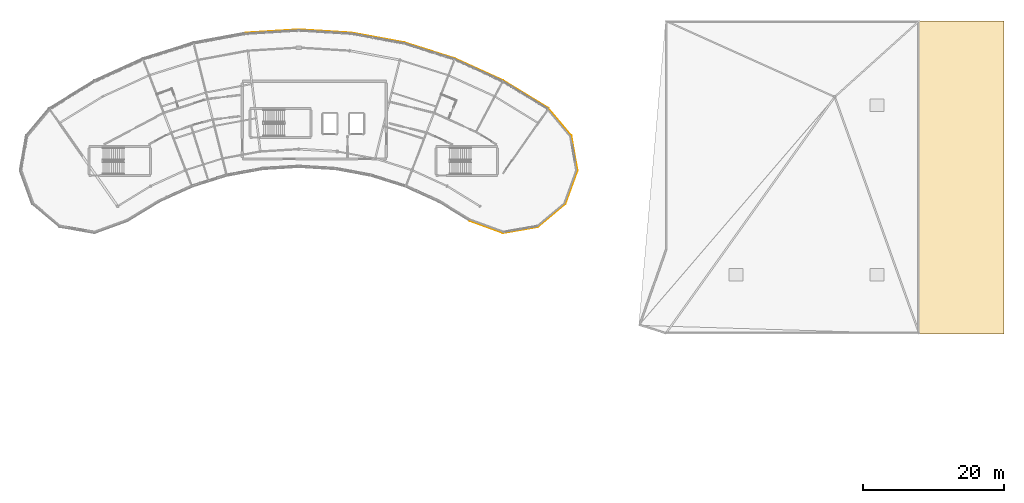
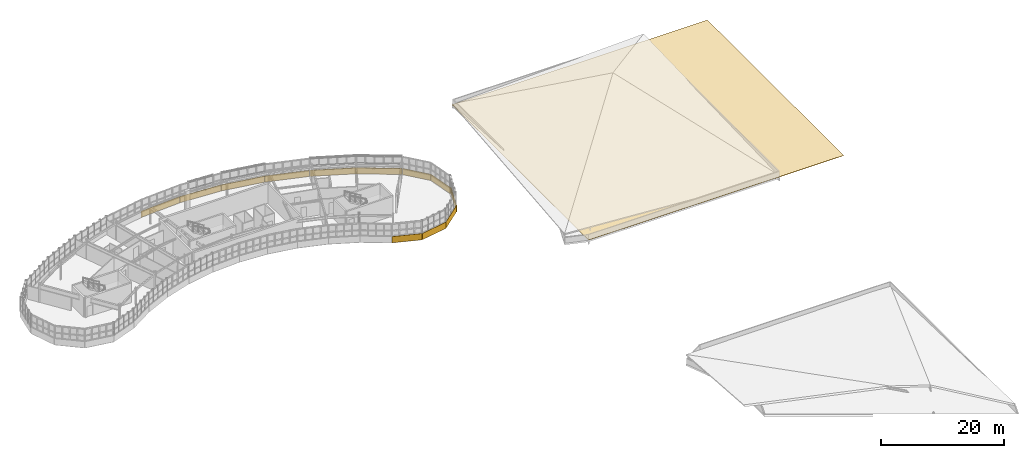
# One storey, part 79 of 79: 13 coverings.
"""IFC4 building model written with IfcOpenShell, lengths in metres."""

from ifc_helpers import new_model, si_unit, direction, frame, origin, origin_2d, place, context, subcontext, project, spatial, polyline, rectangle, outline, extrude, material, layer, layer_set, type_object, element, save


model = new_model("IFC4")

# Units and contexts
model_context = context("Model", 3, precision=1e-05, world=origin(), true_north=direction((0.0, 1.0)))
body_context = subcontext(model_context, "Body", "Model", "MODEL_VIEW")
ifc_project = project(units=[si_unit("LENGTHUNIT", "METRE"), si_unit("AREAUNIT", "SQUARE_METRE"), si_unit("VOLUMEUNIT", "CUBIC_METRE"), si_unit("PLANEANGLEUNIT", "RADIAN"), si_unit("MASSUNIT", "GRAM", prefix="KILO")], contexts=[model_context])

# Site, building, storey
site_placement = place(None, origin())
site = spatial("IfcSite", under=ifc_project, at=site_placement, CompositionType="ELEMENT")
building_placement = place(site_placement, origin())
building = spatial("IfcBuilding", under=site, at=building_placement, Name="Tarnwether General Hospital", CompositionType="ELEMENT")
storey_placement = place(building_placement, frame((0.0, 0.0, 18.300048828125)))
storey = spatial("IfcBuildingStorey", under=building, at=storey_placement, Name="L04", CompositionType="ELEMENT", Elevation=18.300048828125)

# Coverings
ifc_material_1 = material(Name="Streamlined white enamelled aluminium", Category="aluminium")
ifc_layer_1 = layer(ifc_material_1, 0.044921875)
ifc_layer_set_1 = layer_set([ifc_layer_1], Name="Streamlined white enamelled aluminium")
covering_type_1 = type_object("IfcCoveringType", Name="CV-CLD-WHT", PredefinedType="CLADDING", material=ifc_layer_set_1)
covering_1_placement = place(storey_placement, frame((118.60888671875, 96.758056640625, -0.175048828125), z_axis=(0.0, 0.0, 1.0), x_axis=(-0.93965082813, 0.342134945884, 0.0)))
element("IfcCovering", 1, at=covering_1_placement, inside=storey, type_object=covering_type_1, Name="Streamlined White Horizontal Band NW L04 16", PredefinedType="CLADDING", context=body_context, shape_type="SweptSolid", body=[
    extrude(rectangle(XDim=4.968994140625, YDim=0.044921875, at=origin_2d()), origin(), (0.0, 0.0, 1.0), 1.25),
])
for number, where, z_axis, x_axis, name in (
    (2, (123.458984375, 96.333984375, -0.175048828125), (0.0, 0.0, 1.0), (-0.98480472213, -0.173665365778, 0.0), "Streamlined White Horizontal Band NW L04 17"),
    (3, (127.87109375, 98.39111328125, -0.175048828125), (0.0, 0.0, 1.0), (-0.765988346401, -0.642854457228, 0.0), "Streamlined White Horizontal Band NW L04 18"),
):
    element("IfcCovering", number, at=place(storey_placement, frame(where, z_axis=z_axis, x_axis=x_axis)), inside=storey, type_object=covering_type_1, Name=name, PredefinedType="CLADDING", context=body_context, shape_type="SweptSolid", body=[
        extrude(rectangle(XDim=4.969970703125, YDim=0.044921875, at=origin_2d()), origin(), (0.0, 0.0, 1.0), 1.25),
    ])
covering_2_placement = place(storey_placement, frame((130.6640625, 102.37890625, -0.175048828125), z_axis=(0.0, 0.0, 1.0), x_axis=(-0.341954539571, -0.939716496006, 0.0)))
element("IfcCovering", 4, at=covering_2_placement, inside=storey, type_object=covering_type_1, Name="Streamlined White Horizontal Band NW L04 19", PredefinedType="CLADDING", context=body_context, shape_type="SweptSolid", body=[
    extrude(rectangle(XDim=4.968017578125, YDim=0.044921875, at=origin_2d()), origin(), (0.0, 0.0, 1.0), 1.25),
])
covering_3_placement = place(storey_placement, frame((131.087890625, 107.22900390625, -0.175048828125), z_axis=(0.0, 0.0, 1.0), x_axis=(0.173459104952, -0.984841072919, 0.0)))
element("IfcCovering", 5, at=covering_3_placement, inside=storey, type_object=covering_type_1, Name="Streamlined White Horizontal Band NW L04 20", PredefinedType="CLADDING", context=body_context, shape_type="SweptSolid", body=[
    extrude(rectangle(XDim=4.968994140625, YDim=0.044921875, at=origin_2d()), origin(), (0.0, 0.0, 1.0), 1.25),
])
covering_4_placement = place(storey_placement, frame((129.031005859375, 111.64111328125, -0.175048828125), z_axis=(0.0, 0.0, 1.0), x_axis=(0.642854457228, -0.765988346401, 0.0)))
element("IfcCovering", 6, at=covering_4_placement, inside=storey, type_object=covering_type_1, Name="Streamlined White Horizontal Band NW L04 21", PredefinedType="CLADDING", context=body_context, shape_type="SweptSolid", body=[
    extrude(rectangle(XDim=4.969970703125, YDim=0.044921875, at=origin_2d()), origin(), (0.0, 0.0, 1.0), 1.25),
])
for number, where, z_axis, x_axis, name in (
    (7, (124.194091796875, 115.5380859375, -0.175048828125), (0.0, 0.0, 1.0), (0.852631044904, -0.522513446015, 0.0), "Streamlined White Horizontal Band NW L04 22"),
    (8, (117.552001953125, 119.070068359375, -0.175048828125), (0.0, 0.0, 1.0), (0.909961270877, -0.414693242656, 0.0), "Streamlined White Horizontal Band NW L04 23"),
    (9, (110.528076171875, 121.764892578125, -0.175048828125), (0.0, 0.0, 1.0), (0.953743188648, -0.300622570855, 0.0), "Streamlined White Horizontal Band NW L04 24"),
    (10, (103.22900390625, 123.5849609375, -0.175048828125), (0.0, 0.0, 1.0), (0.983245364386, -0.182287008349, 0.0), "Streamlined White Horizontal Band NW L04 25"),
    (11, (95.761962890625, 124.501953125, -0.175048828125), (0.0, 0.0, 1.0), (0.998135863768, -0.061031118787, 0.0), "Streamlined White Horizontal Band NW L04 26"),
    (12, (88.238037109375, 124.501953125, -0.175048828125), (0.0, 0.0, 1.0), (0.998135863768, 0.061031118787, 0.0), "Streamlined White Horizontal Band NW L04 27"),
):
    element("IfcCovering", number, at=place(storey_placement, frame(where, z_axis=z_axis, x_axis=x_axis)), inside=storey, type_object=covering_type_1, Name=name, PredefinedType="CLADDING", context=body_context, shape_type="SweptSolid", body=[
        extrude(rectangle(XDim=7.52099609375, YDim=0.044921875, at=origin_2d()), origin(), (0.0, 0.0, 1.0), 1.25),
    ])
ifc_material_2 = material(Name="Elastomeric roof membrane")
ifc_layer_2 = layer(ifc_material_2, 0.06005859375)
ifc_layer_set_2 = layer_set([ifc_layer_2], Name="Elastomeric roof membrane")
covering_type_2 = type_object("IfcCoveringType", Name="CV-RFG-MEM", PredefinedType="ROOFING", material=ifc_layer_set_2)
covering_5_placement = place(storey_placement, frame((0.0, 0.0, 0.329833984375)))
element("IfcCovering", 13, at=covering_5_placement, inside=storey, type_object=covering_type_2, Name="Roof Covering CV-RFG-V6N", PredefinedType="ROOFING", context=body_context, shape_type="SweptSolid", body=[
    extrude(outline(polyline([(192.0, 81.60009765625), (192.0, 126.0), (144.0, 126.0), (144.0, 81.60009765625), (192.0, 81.60009765625)])), origin(), (0.0, 0.0, 1.0), 0.06005859375),
])

save(model, "model.ifc")
